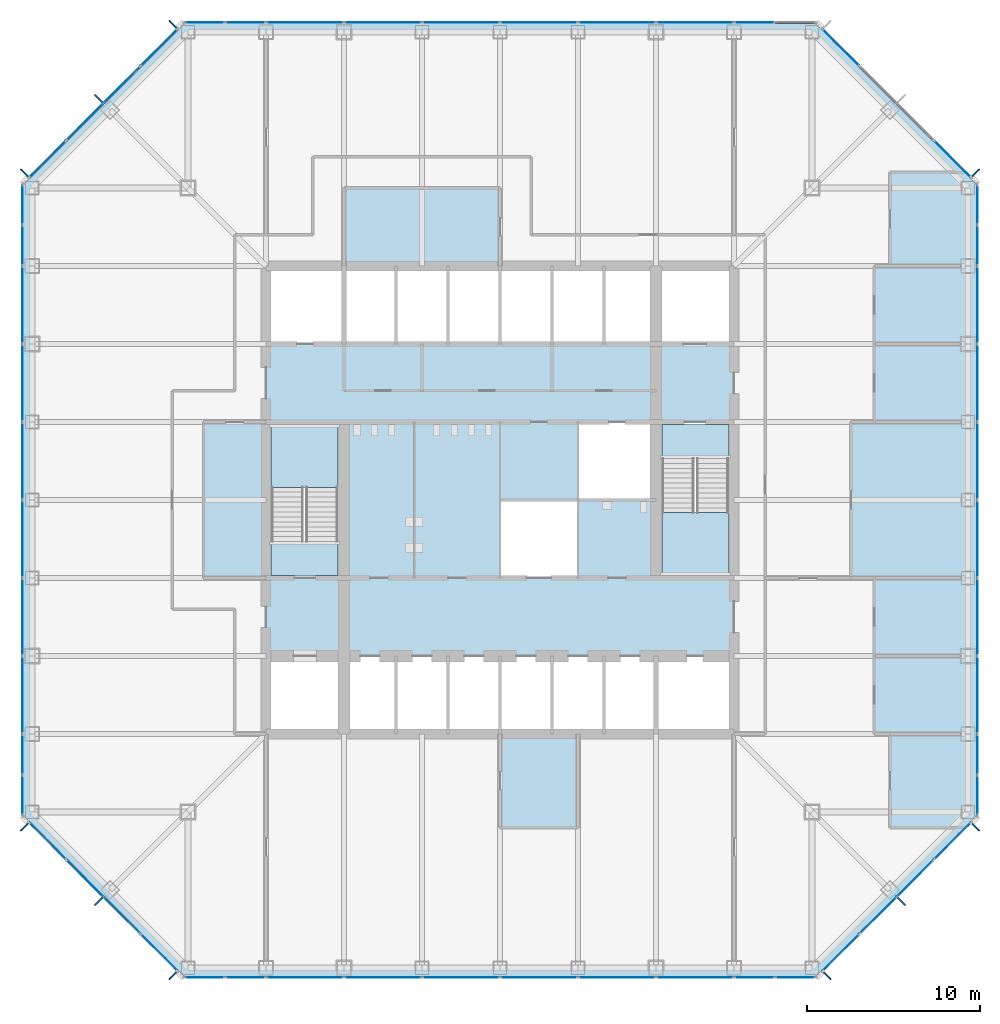
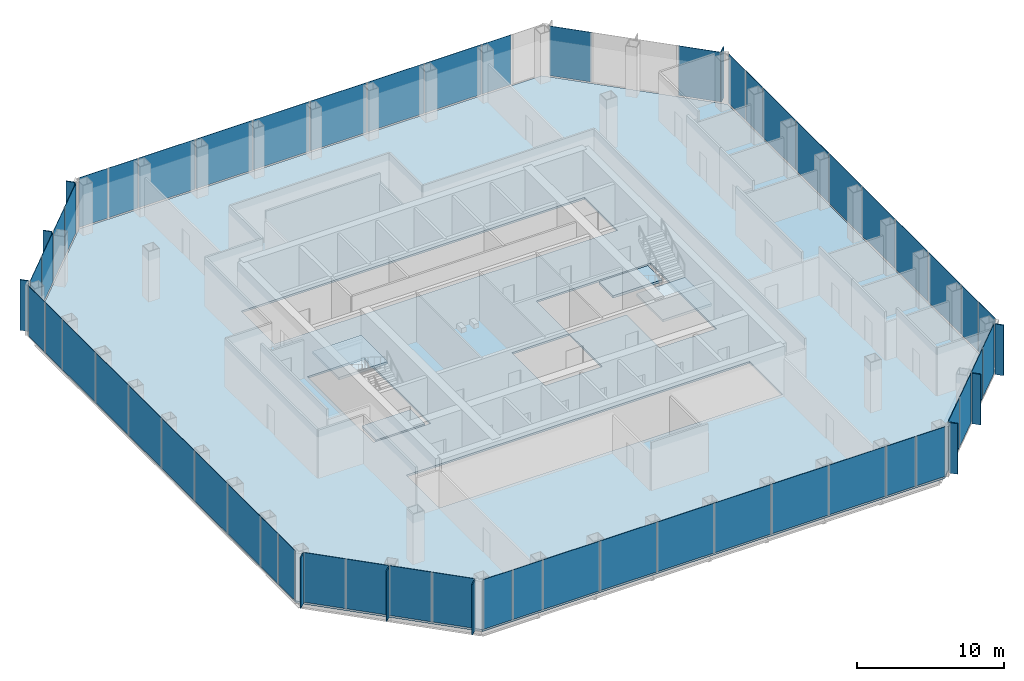
# One storey, part 7 of 12: 63 plates, 5 slabs, 10 elements without a shape of their own.
"""IFC4 building model written with IfcOpenShell, lengths in metres."""

from ifc_helpers import new_model, si_unit, direction, frame, origin, origin_2d, place, context, subcontext, project, spatial, polyline, rectangle, outline, extrude, material, layer, layer_set, type_object, element, aggregate, save


model = new_model("IFC4")

# Units and contexts
model_context = context("Model", 3, precision=1e-05, world=origin(), true_north=direction((0.0, 1.0)))
body_context = subcontext(model_context, "Body", "Model", "MODEL_VIEW")
ifc_project = project(units=[si_unit("LENGTHUNIT", "METRE"), si_unit("AREAUNIT", "SQUARE_METRE"), si_unit("VOLUMEUNIT", "CUBIC_METRE"), si_unit("PLANEANGLEUNIT", "RADIAN"), si_unit("MASSUNIT", "GRAM", prefix="KILO")], contexts=[model_context])

# Site, building, storey
site_placement = place(None, origin())
site = spatial("IfcSite", under=ifc_project, at=site_placement, CompositionType="ELEMENT")
building_placement = place(site_placement, origin())
building = spatial("IfcBuilding", under=site, at=building_placement, Name="Corais Broadcast Tower", CompositionType="ELEMENT")
storey_placement = place(building_placement, frame((0.0, 0.0, 71.0)))
storey = spatial("IfcBuildingStorey", under=building, at=storey_placement, Name="L15", CompositionType="ELEMENT", Elevation=71.0)

# Slab
ifc_material_1 = material(Name="Concrete C30/37", Category="concrete")
ifc_layer_1 = layer(ifc_material_1, 0.159912109375)
ifc_layer_set_1 = layer_set([ifc_layer_1], Name="Concrete C30/37")
slab_type_1 = type_object("IfcSlabType", Name="Composite floor slab 160", PredefinedType="FLOOR", material=ifc_layer_set_1)
slab_1_placement = place(storey_placement, frame((0.0, 0.0, -0.159912109375)))
element("IfcSlab", 1, at=slab_1_placement, inside=storey, type_object=slab_type_1, Name="S160 floor slab L15", PredefinedType="FLOOR", context=body_context, shape_type="SweptSolid", body=[
    extrude(outline(polyline([(8.80126953125, -0.47998046875), (-0.47998046875, 8.80126953125), (-0.47998046875, 45.19873046875), (8.80126953125, 54.47998046875), (45.19873046875, 54.47998046875), (54.47998046875, 45.19873046875), (54.47998046875, 8.80126953125), (45.19873046875, -0.47998046875), (8.80126953125, -0.47998046875)]), holes=[polyline([(13.5, 18.0), (40.5, 18.0), (40.5, 13.5), (13.5, 13.5), (13.5, 18.0)]), polyline([(13.5, 22.5), (13.5, 31.5), (18.0, 31.5), (18.0, 22.5), (13.5, 22.5)]), polyline([(13.5, 40.5), (40.5, 40.5), (40.5, 36.0), (13.5, 36.0), (13.5, 40.5)]), polyline([(27.0, 22.5), (27.0, 27.0), (31.4951171875, 27.0), (31.4951171875, 27.0048828125), (31.5, 27.0048828125), (31.5, 31.5), (40.5, 31.5), (40.5, 22.5), (36.0, 22.5), (36.0, 27.0), (31.5048828125, 27.0), (31.5048828125, 26.9951171875), (31.5, 26.9951171875), (31.5, 22.5), (27.0, 22.5)])]), origin(), (0.0, 0.0, 1.0), 0.159912109375),
])

# Curtain wall, plates
ifc_material_2 = material(Name="Aluminium and glass", Category="aluminium")
curtain_wall_type = type_object("IfcCurtainWallType", Name="Unitised fritted curtain wall CW1", PredefinedType="NOTDEFINED", material=ifc_material_2)
curtain_wall_1_placement = place(storey_placement, origin())
curtain_wall_1 = element("IfcCurtainWall", 2, at=curtain_wall_1_placement, inside=storey, type_object=curtain_wall_type, Name="CW1 curtain wall L15 1", PredefinedType="NOTDEFINED")
ifc_material_3 = material(Name="Ceramic-fritted laminated glass", Category="glass")
ifc_layer_2 = layer(ifc_material_3, 0.030029296875)
ifc_layer_set_2 = layer_set([ifc_layer_2], Name="Ceramic-fritted laminated glass")
plate_type_1 = type_object("IfcPlateType", Name="Fritted glass panel CW1", PredefinedType="CURTAIN_PANEL", material=ifc_layer_set_2)
plate_1_placement = place(storey_placement, frame((7.330322265625, 0.891845703125, 0.06494140625), z_axis=(0.0, 0.0, 1.0), x_axis=(-0.707106781187, 0.707106781187, 0.0)))
plate_1 = element("IfcPlate", 3, at=plate_1_placement, type_object=plate_type_1, Name="CW1 panel 1", PredefinedType="CURTAIN_PANEL", context=body_context, shape_type="SweptSolid", body=[
    extrude(rectangle(XDim=2.9482421875, YDim=0.030029296875, at=origin_2d()), origin(), (0.0, 0.0, 1.0), 4.135009765625),
])
plate_2_placement = place(storey_placement, frame((3.0341796875, 5.18798828125, 0.06494140625), z_axis=(0.0, 0.0, 1.0), x_axis=(-0.707106781187, 0.707106781187, 0.0)))
plate_2 = element("IfcPlate", 4, at=plate_2_placement, type_object=plate_type_1, Name="CW1 panel 3", PredefinedType="CURTAIN_PANEL", context=body_context, shape_type="SweptSolid", body=[
    extrude(rectangle(XDim=2.98095703125, YDim=0.030029296875, at=origin_2d()), origin(), (0.0, 0.0, 1.0), 4.135009765625),
])

curtain_wall_2_placement = place(storey_placement, origin())
curtain_wall_2 = element("IfcCurtainWall", 5, at=curtain_wall_2_placement, inside=storey, type_object=curtain_wall_type, Name="CW1 curtain wall L15 2", PredefinedType="NOTDEFINED")
plate_3_placement = place(storey_placement, frame((-0.550048828125, 9.970458984375, 0.06494140625), z_axis=(0.0, 0.0, 1.0), x_axis=(0.0, 1.0, 0.0)))
plate_3 = element("IfcPlate", 6, at=plate_3_placement, type_object=plate_type_1, Name="CW1 panel 1", PredefinedType="CURTAIN_PANEL", context=body_context, shape_type="SweptSolid", body=[
    extrude(rectangle(XDim=2.266357421875, YDim=0.030029296875, at=origin_2d()), origin(), (0.0, 0.0, 1.0), 4.135009765625),
])
plate_4_placement = place(storey_placement, frame((-0.550048828125, 15.75, 0.06494140625), z_axis=(0.0, 0.0, 1.0), x_axis=(0.0, 1.0, 0.0)))
plate_4 = element("IfcPlate", 7, at=plate_4_placement, type_object=plate_type_1, Name="CW1 panel 3", PredefinedType="CURTAIN_PANEL", context=body_context, shape_type="SweptSolid", body=[
    extrude(rectangle(XDim=4.43505859375, YDim=0.030029296875, at=origin_2d()), origin(), (0.0, 0.0, 1.0), 4.135009765625),
])
plate_5_placement = place(storey_placement, frame((-0.550048828125, 24.75, 0.06494140625), z_axis=(0.0, 0.0, 1.0), x_axis=(0.0, 1.0, 0.0)))
plate_5 = element("IfcPlate", 8, at=plate_5_placement, type_object=plate_type_1, Name="CW1 panel 5", PredefinedType="CURTAIN_PANEL", context=body_context, shape_type="SweptSolid", body=[
    extrude(rectangle(XDim=4.43505859375, YDim=0.030029296875, at=origin_2d()), origin(), (0.0, 0.0, 1.0), 4.135009765625),
])
plate_6_placement = place(storey_placement, frame((-0.550048828125, 33.75, 0.06494140625), z_axis=(0.0, 0.0, 1.0), x_axis=(0.0, 1.0, 0.0)))
plate_6 = element("IfcPlate", 9, at=plate_6_placement, type_object=plate_type_1, Name="CW1 panel 7", PredefinedType="CURTAIN_PANEL", context=body_context, shape_type="SweptSolid", body=[
    extrude(rectangle(XDim=4.43505859375, YDim=0.030029296875, at=origin_2d()), origin(), (0.0, 0.0, 1.0), 4.135009765625),
])
plate_7_placement = place(storey_placement, frame((-0.550048828125, 41.681884765625, 0.06494140625), z_axis=(0.0, 0.0, 1.0), x_axis=(0.0, 1.0, 0.0)))
plate_7 = element("IfcPlate", 10, at=plate_7_placement, type_object=plate_type_1, Name="CW1 panel 9", PredefinedType="CURTAIN_PANEL", context=body_context, shape_type="SweptSolid", body=[
    extrude(rectangle(XDim=2.298828125, YDim=0.030029296875, at=origin_2d()), origin(), (0.0, 0.0, 1.0), 4.135009765625),
])

curtain_wall_3_placement = place(storey_placement, origin())
curtain_wall_3 = element("IfcCurtainWall", 11, at=curtain_wall_3_placement, inside=storey, type_object=curtain_wall_type, Name="CW1 curtain wall L15 3", PredefinedType="NOTDEFINED")
plate_8_placement = place(storey_placement, frame((0.891845703125, 46.669677734375, 0.06494140625), z_axis=(0.0, 0.0, 1.0), x_axis=(0.707106781187, 0.707106781187, 0.0)))
plate_8 = element("IfcPlate", 12, at=plate_8_placement, type_object=plate_type_1, Name="CW1 panel 1", PredefinedType="CURTAIN_PANEL", context=body_context, shape_type="SweptSolid", body=[
    extrude(rectangle(XDim=2.9482421875, YDim=0.030029296875, at=origin_2d()), origin(), (0.0, 0.0, 1.0), 4.135009765625),
])
plate_9_placement = place(storey_placement, frame((5.18798828125, 50.9658203125, 0.06494140625), z_axis=(0.0, 0.0, 1.0), x_axis=(0.707106781187, 0.707106781187, 0.0)))
plate_9 = element("IfcPlate", 13, at=plate_9_placement, type_object=plate_type_1, Name="CW1 panel 3", PredefinedType="CURTAIN_PANEL", context=body_context, shape_type="SweptSolid", body=[
    extrude(rectangle(XDim=2.98095703125, YDim=0.030029296875, at=origin_2d()), origin(), (0.0, 0.0, 1.0), 4.135009765625),
])

curtain_wall_4_placement = place(storey_placement, origin())
curtain_wall_4 = element("IfcCurtainWall", 14, at=curtain_wall_4_placement, inside=storey, type_object=curtain_wall_type, Name="CW1 curtain wall L15 4", PredefinedType="NOTDEFINED")
plate_10_placement = place(storey_placement, frame((9.970458984375, 54.550048828125, 0.06494140625), z_axis=(0.0, 0.0, 1.0), x_axis=(1.0, 0.0, 0.0)))
plate_10 = element("IfcPlate", 15, at=plate_10_placement, type_object=plate_type_1, Name="CW1 panel 1", PredefinedType="CURTAIN_PANEL", context=body_context, shape_type="SweptSolid", body=[
    extrude(rectangle(XDim=2.266357421875, YDim=0.030029296875, at=origin_2d()), origin(), (0.0, 0.0, 1.0), 4.135009765625),
])
plate_11_placement = place(storey_placement, frame((15.75, 54.550048828125, 0.06494140625), z_axis=(0.0, 0.0, 1.0), x_axis=(1.0, 0.0, 0.0)))
plate_11 = element("IfcPlate", 16, at=plate_11_placement, type_object=plate_type_1, Name="CW1 panel 3", PredefinedType="CURTAIN_PANEL", context=body_context, shape_type="SweptSolid", body=[
    extrude(rectangle(XDim=4.43505859375, YDim=0.030029296875, at=origin_2d()), origin(), (0.0, 0.0, 1.0), 4.135009765625),
])
plate_12_placement = place(storey_placement, frame((24.75, 54.550048828125, 0.06494140625), z_axis=(0.0, 0.0, 1.0), x_axis=(1.0, 0.0, 0.0)))
plate_12 = element("IfcPlate", 17, at=plate_12_placement, type_object=plate_type_1, Name="CW1 panel 5", PredefinedType="CURTAIN_PANEL", context=body_context, shape_type="SweptSolid", body=[
    extrude(rectangle(XDim=4.43505859375, YDim=0.030029296875, at=origin_2d()), origin(), (0.0, 0.0, 1.0), 4.135009765625),
])
plate_13_placement = place(storey_placement, frame((33.75, 54.550048828125, 0.06494140625), z_axis=(0.0, 0.0, 1.0), x_axis=(1.0, 0.0, 0.0)))
plate_13 = element("IfcPlate", 18, at=plate_13_placement, type_object=plate_type_1, Name="CW1 panel 7", PredefinedType="CURTAIN_PANEL", context=body_context, shape_type="SweptSolid", body=[
    extrude(rectangle(XDim=4.43505859375, YDim=0.030029296875, at=origin_2d()), origin(), (0.0, 0.0, 1.0), 4.135009765625),
])
plate_14_placement = place(storey_placement, frame((41.681884765625, 54.550048828125, 0.06494140625), z_axis=(0.0, 0.0, 1.0), x_axis=(1.0, 0.0, 0.0)))
plate_14 = element("IfcPlate", 19, at=plate_14_placement, type_object=plate_type_1, Name="CW1 panel 9", PredefinedType="CURTAIN_PANEL", context=body_context, shape_type="SweptSolid", body=[
    extrude(rectangle(XDim=2.298828125, YDim=0.030029296875, at=origin_2d()), origin(), (0.0, 0.0, 1.0), 4.135009765625),
])

# Curtain wall, plate
curtain_wall_5_placement = place(storey_placement, origin())
curtain_wall_5 = element("IfcCurtainWall", 20, at=curtain_wall_5_placement, inside=storey, type_object=curtain_wall_type, Name="CW1 curtain wall L15 5", PredefinedType="NOTDEFINED")
plate_15_placement = place(storey_placement, frame((46.669677734375, 53.108154296875, 0.06494140625), z_axis=(0.0, 0.0, 1.0), x_axis=(0.707106781187, -0.707106781187, 0.0)))
plate_15 = element("IfcPlate", 21, at=plate_15_placement, type_object=plate_type_1, Name="CW1 panel 1", PredefinedType="CURTAIN_PANEL", context=body_context, shape_type="SweptSolid", body=[
    extrude(rectangle(XDim=2.9482421875, YDim=0.030029296875, at=origin_2d()), origin(), (0.0, 0.0, 1.0), 4.135009765625),
])

# Curtain wall, plates
curtain_wall_6_placement = place(storey_placement, origin())
curtain_wall_6 = element("IfcCurtainWall", 22, at=curtain_wall_6_placement, inside=storey, type_object=curtain_wall_type, Name="CW1 curtain wall L15 6", PredefinedType="NOTDEFINED")
plate_16_placement = place(storey_placement, frame((54.550048828125, 44.029541015625, 0.06494140625), z_axis=(0.0, 0.0, 1.0), x_axis=(0.0, -1.0, 0.0)))
plate_16 = element("IfcPlate", 23, at=plate_16_placement, type_object=plate_type_1, Name="CW1 panel 1", PredefinedType="CURTAIN_PANEL", context=body_context, shape_type="SweptSolid", body=[
    extrude(rectangle(XDim=2.266357421875, YDim=0.030029296875, at=origin_2d()), origin(), (0.0, 0.0, 1.0), 4.135009765625),
])
plate_17_placement = place(storey_placement, frame((54.550048828125, 38.25, 0.06494140625), z_axis=(0.0, 0.0, 1.0), x_axis=(0.0, -1.0, 0.0)))
plate_17 = element("IfcPlate", 24, at=plate_17_placement, type_object=plate_type_1, Name="CW1 panel 3", PredefinedType="CURTAIN_PANEL", context=body_context, shape_type="SweptSolid", body=[
    extrude(rectangle(XDim=4.43505859375, YDim=0.030029296875, at=origin_2d()), origin(), (0.0, 0.0, 1.0), 4.135009765625),
])
plate_18_placement = place(storey_placement, frame((54.550048828125, 29.25, 0.06494140625), z_axis=(0.0, 0.0, 1.0), x_axis=(0.0, -1.0, 0.0)))
plate_18 = element("IfcPlate", 25, at=plate_18_placement, type_object=plate_type_1, Name="CW1 panel 5", PredefinedType="CURTAIN_PANEL", context=body_context, shape_type="SweptSolid", body=[
    extrude(rectangle(XDim=4.43505859375, YDim=0.030029296875, at=origin_2d()), origin(), (0.0, 0.0, 1.0), 4.135009765625),
])
plate_19_placement = place(storey_placement, frame((54.550048828125, 20.25, 0.06494140625), z_axis=(0.0, 0.0, 1.0), x_axis=(0.0, -1.0, 0.0)))
plate_19 = element("IfcPlate", 26, at=plate_19_placement, type_object=plate_type_1, Name="CW1 panel 7", PredefinedType="CURTAIN_PANEL", context=body_context, shape_type="SweptSolid", body=[
    extrude(rectangle(XDim=4.43505859375, YDim=0.030029296875, at=origin_2d()), origin(), (0.0, 0.0, 1.0), 4.135009765625),
])
plate_20_placement = place(storey_placement, frame((54.550048828125, 12.318115234375, 0.06494140625), z_axis=(0.0, 0.0, 1.0), x_axis=(0.0, -1.0, 0.0)))
plate_20 = element("IfcPlate", 27, at=plate_20_placement, type_object=plate_type_1, Name="CW1 panel 9", PredefinedType="CURTAIN_PANEL", context=body_context, shape_type="SweptSolid", body=[
    extrude(rectangle(XDim=2.298828125, YDim=0.030029296875, at=origin_2d()), origin(), (0.0, 0.0, 1.0), 4.135009765625),
])

curtain_wall_7_placement = place(storey_placement, origin())
curtain_wall_7 = element("IfcCurtainWall", 28, at=curtain_wall_7_placement, inside=storey, type_object=curtain_wall_type, Name="CW1 curtain wall L15 7", PredefinedType="NOTDEFINED")
plate_21_placement = place(storey_placement, frame((53.108154296875, 7.330322265625, 0.06494140625), z_axis=(0.0, 0.0, 1.0), x_axis=(-0.707106781187, -0.707106781187, 0.0)))
plate_21 = element("IfcPlate", 29, at=plate_21_placement, type_object=plate_type_1, Name="CW1 panel 1", PredefinedType="CURTAIN_PANEL", context=body_context, shape_type="SweptSolid", body=[
    extrude(rectangle(XDim=2.9482421875, YDim=0.030029296875, at=origin_2d()), origin(), (0.0, 0.0, 1.0), 4.135009765625),
])
plate_22_placement = place(storey_placement, frame((48.81201171875, 3.0341796875, 0.06494140625), z_axis=(0.0, 0.0, 1.0), x_axis=(-0.707106781187, -0.707106781187, 0.0)))
plate_22 = element("IfcPlate", 30, at=plate_22_placement, type_object=plate_type_1, Name="CW1 panel 3", PredefinedType="CURTAIN_PANEL", context=body_context, shape_type="SweptSolid", body=[
    extrude(rectangle(XDim=2.98095703125, YDim=0.030029296875, at=origin_2d()), origin(), (0.0, 0.0, 1.0), 4.135009765625),
])

curtain_wall_8_placement = place(storey_placement, origin())
curtain_wall_8 = element("IfcCurtainWall", 31, at=curtain_wall_8_placement, inside=storey, type_object=curtain_wall_type, Name="CW1 curtain wall L15 8", PredefinedType="NOTDEFINED")
plate_23_placement = place(storey_placement, frame((44.029541015625, -0.550048828125, 0.06494140625), z_axis=(0.0, 0.0, 1.0), x_axis=(-1.0, 0.0, 0.0)))
plate_23 = element("IfcPlate", 32, at=plate_23_placement, type_object=plate_type_1, Name="CW1 panel 1", PredefinedType="CURTAIN_PANEL", context=body_context, shape_type="SweptSolid", body=[
    extrude(rectangle(XDim=2.266357421875, YDim=0.030029296875, at=origin_2d()), origin(), (0.0, 0.0, 1.0), 4.135009765625),
])
plate_24_placement = place(storey_placement, frame((38.25, -0.550048828125, 0.06494140625), z_axis=(0.0, 0.0, 1.0), x_axis=(-1.0, 0.0, 0.0)))
plate_24 = element("IfcPlate", 33, at=plate_24_placement, type_object=plate_type_1, Name="CW1 panel 3", PredefinedType="CURTAIN_PANEL", context=body_context, shape_type="SweptSolid", body=[
    extrude(rectangle(XDim=4.43505859375, YDim=0.030029296875, at=origin_2d()), origin(), (0.0, 0.0, 1.0), 4.135009765625),
])
plate_25_placement = place(storey_placement, frame((29.25, -0.550048828125, 0.06494140625), z_axis=(0.0, 0.0, 1.0), x_axis=(-1.0, 0.0, 0.0)))
plate_25 = element("IfcPlate", 34, at=plate_25_placement, type_object=plate_type_1, Name="CW1 panel 5", PredefinedType="CURTAIN_PANEL", context=body_context, shape_type="SweptSolid", body=[
    extrude(rectangle(XDim=4.43505859375, YDim=0.030029296875, at=origin_2d()), origin(), (0.0, 0.0, 1.0), 4.135009765625),
])
plate_26_placement = place(storey_placement, frame((20.25, -0.550048828125, 0.06494140625), z_axis=(0.0, 0.0, 1.0), x_axis=(-1.0, 0.0, 0.0)))
plate_26 = element("IfcPlate", 35, at=plate_26_placement, type_object=plate_type_1, Name="CW1 panel 7", PredefinedType="CURTAIN_PANEL", context=body_context, shape_type="SweptSolid", body=[
    extrude(rectangle(XDim=4.43505859375, YDim=0.030029296875, at=origin_2d()), origin(), (0.0, 0.0, 1.0), 4.135009765625),
])
plate_27_placement = place(storey_placement, frame((12.318115234375, -0.550048828125, 0.06494140625), z_axis=(0.0, 0.0, 1.0), x_axis=(-1.0, 0.0, 0.0)))
plate_27 = element("IfcPlate", 36, at=plate_27_placement, type_object=plate_type_1, Name="CW1 panel 9", PredefinedType="CURTAIN_PANEL", context=body_context, shape_type="SweptSolid", body=[
    extrude(rectangle(XDim=2.298828125, YDim=0.030029296875, at=origin_2d()), origin(), (0.0, 0.0, 1.0), 4.135009765625),
])

# Plate
ifc_material_4 = material(Name="Clear laminated glass", Category="glass")
ifc_layer_3 = layer(ifc_material_4, 0.033935546875)
ifc_layer_set_3 = layer_set([ifc_layer_3], Name="Clear laminated glass")
plate_type_2 = type_object("IfcPlateType", Name="Operable glass panel CW1", PredefinedType="CURTAIN_PANEL", material=ifc_layer_set_3)
plate_28_placement = place(storey_placement, frame((5.18798828125, 3.0341796875, 0.06494140625), z_axis=(0.0, 0.0, 1.0), x_axis=(-0.707106781187, 0.707106781187, 0.0)))
plate_28 = element("IfcPlate", 37, at=plate_28_placement, type_object=plate_type_2, Name="CW1 operable panel 2", PredefinedType="CURTAIN_PANEL", context=body_context, shape_type="SweptSolid", body=[
    extrude(rectangle(XDim=2.98095703125, YDim=0.033935546875, at=origin_2d()), origin(), (0.0, 0.0, 1.0), 4.135009765625),
])

plate_29_placement = place(storey_placement, frame((0.89208984375, 7.330322265625, 0.06494140625), z_axis=(0.0, 0.0, 1.0), x_axis=(-0.707106781187, 0.707106781187, 0.0)))
plate_29 = element("IfcPlate", 38, at=plate_29_placement, type_object=plate_type_2, Name="CW1 operable panel 4", PredefinedType="CURTAIN_PANEL", context=body_context, shape_type="SweptSolid", body=[
    extrude(rectangle(XDim=2.948486328125, YDim=0.033935546875, at=origin_2d()), origin(), (0.0, 0.0, 1.0), 4.135009765625),
])

aggregate(curtain_wall_1, [plate_1, plate_28, plate_2, plate_29])

plate_30_placement = place(storey_placement, frame((-0.550048828125, 12.318115234375, 0.06494140625), z_axis=(0.0, 0.0, 1.0), x_axis=(0.0, 1.0, 0.0)))
plate_30 = element("IfcPlate", 39, at=plate_30_placement, type_object=plate_type_2, Name="CW1 operable panel 2", PredefinedType="CURTAIN_PANEL", context=body_context, shape_type="SweptSolid", body=[
    extrude(rectangle(XDim=2.298828125, YDim=0.033935546875, at=origin_2d()), origin(), (0.0, 0.0, 1.0), 4.135009765625),
])

plate_31_placement = place(storey_placement, frame((-0.550048828125, 20.25, 0.06494140625), z_axis=(0.0, 0.0, 1.0), x_axis=(0.0, 1.0, 0.0)))
plate_31 = element("IfcPlate", 40, at=plate_31_placement, type_object=plate_type_2, Name="CW1 operable panel 4", PredefinedType="CURTAIN_PANEL", context=body_context, shape_type="SweptSolid", body=[
    extrude(rectangle(XDim=4.43505859375, YDim=0.033935546875, at=origin_2d()), origin(), (0.0, 0.0, 1.0), 4.135009765625),
])

plate_32_placement = place(storey_placement, frame((-0.550048828125, 29.25, 0.06494140625), z_axis=(0.0, 0.0, 1.0), x_axis=(0.0, 1.0, 0.0)))
plate_32 = element("IfcPlate", 41, at=plate_32_placement, type_object=plate_type_2, Name="CW1 operable panel 6", PredefinedType="CURTAIN_PANEL", context=body_context, shape_type="SweptSolid", body=[
    extrude(rectangle(XDim=4.43505859375, YDim=0.033935546875, at=origin_2d()), origin(), (0.0, 0.0, 1.0), 4.135009765625),
])

plate_33_placement = place(storey_placement, frame((-0.550048828125, 38.25, 0.06494140625), z_axis=(0.0, 0.0, 1.0), x_axis=(0.0, 1.0, 0.0)))
plate_33 = element("IfcPlate", 42, at=plate_33_placement, type_object=plate_type_2, Name="CW1 operable panel 8", PredefinedType="CURTAIN_PANEL", context=body_context, shape_type="SweptSolid", body=[
    extrude(rectangle(XDim=4.43505859375, YDim=0.033935546875, at=origin_2d()), origin(), (0.0, 0.0, 1.0), 4.135009765625),
])

plate_34_placement = place(storey_placement, frame((-0.550048828125, 44.029541015625, 0.06494140625), z_axis=(0.0, 0.0, 1.0), x_axis=(0.0, 1.0, 0.0)))
plate_34 = element("IfcPlate", 43, at=plate_34_placement, type_object=plate_type_2, Name="CW1 operable panel 10", PredefinedType="CURTAIN_PANEL", context=body_context, shape_type="SweptSolid", body=[
    extrude(rectangle(XDim=2.266357421875, YDim=0.033935546875, at=origin_2d()), origin(), (0.0, 0.0, 1.0), 4.135009765625),
])

aggregate(curtain_wall_2, [plate_3, plate_30, plate_4, plate_31, plate_5, plate_32, plate_6, plate_33, plate_7, plate_34])

plate_35_placement = place(storey_placement, frame((3.0341796875, 48.81201171875, 0.06494140625), z_axis=(0.0, 0.0, 1.0), x_axis=(0.707106781187, 0.707106781187, 0.0)))
plate_35 = element("IfcPlate", 44, at=plate_35_placement, type_object=plate_type_2, Name="CW1 operable panel 2", PredefinedType="CURTAIN_PANEL", context=body_context, shape_type="SweptSolid", body=[
    extrude(rectangle(XDim=2.98095703125, YDim=0.033935546875, at=origin_2d()), origin(), (0.0, 0.0, 1.0), 4.135009765625),
])

plate_36_placement = place(storey_placement, frame((7.330322265625, 53.10791015625, 0.06494140625), z_axis=(0.0, 0.0, 1.0), x_axis=(0.707106781187, 0.707106781187, 0.0)))
plate_36 = element("IfcPlate", 45, at=plate_36_placement, type_object=plate_type_2, Name="CW1 operable panel 4", PredefinedType="CURTAIN_PANEL", context=body_context, shape_type="SweptSolid", body=[
    extrude(rectangle(XDim=2.948486328125, YDim=0.033935546875, at=origin_2d()), origin(), (0.0, 0.0, 1.0), 4.135009765625),
])

aggregate(curtain_wall_3, [plate_8, plate_35, plate_9, plate_36])

plate_37_placement = place(storey_placement, frame((12.318115234375, 54.550048828125, 0.06494140625), z_axis=(0.0, 0.0, 1.0), x_axis=(1.0, 0.0, 0.0)))
plate_37 = element("IfcPlate", 46, at=plate_37_placement, type_object=plate_type_2, Name="CW1 operable panel 2", PredefinedType="CURTAIN_PANEL", context=body_context, shape_type="SweptSolid", body=[
    extrude(rectangle(XDim=2.298828125, YDim=0.033935546875, at=origin_2d()), origin(), (0.0, 0.0, 1.0), 4.135009765625),
])

plate_38_placement = place(storey_placement, frame((20.25, 54.550048828125, 0.06494140625), z_axis=(0.0, 0.0, 1.0), x_axis=(1.0, 0.0, 0.0)))
plate_38 = element("IfcPlate", 47, at=plate_38_placement, type_object=plate_type_2, Name="CW1 operable panel 4", PredefinedType="CURTAIN_PANEL", context=body_context, shape_type="SweptSolid", body=[
    extrude(rectangle(XDim=4.43505859375, YDim=0.033935546875, at=origin_2d()), origin(), (0.0, 0.0, 1.0), 4.135009765625),
])

plate_39_placement = place(storey_placement, frame((29.25, 54.550048828125, 0.06494140625), z_axis=(0.0, 0.0, 1.0), x_axis=(1.0, 0.0, 0.0)))
plate_39 = element("IfcPlate", 48, at=plate_39_placement, type_object=plate_type_2, Name="CW1 operable panel 6", PredefinedType="CURTAIN_PANEL", context=body_context, shape_type="SweptSolid", body=[
    extrude(rectangle(XDim=4.43505859375, YDim=0.033935546875, at=origin_2d()), origin(), (0.0, 0.0, 1.0), 4.135009765625),
])

plate_40_placement = place(storey_placement, frame((38.25, 54.550048828125, 0.06494140625), z_axis=(0.0, 0.0, 1.0), x_axis=(1.0, 0.0, 0.0)))
plate_40 = element("IfcPlate", 49, at=plate_40_placement, type_object=plate_type_2, Name="CW1 operable panel 8", PredefinedType="CURTAIN_PANEL", context=body_context, shape_type="SweptSolid", body=[
    extrude(rectangle(XDim=4.43505859375, YDim=0.033935546875, at=origin_2d()), origin(), (0.0, 0.0, 1.0), 4.135009765625),
])

aggregate(curtain_wall_4, [plate_10, plate_37, plate_11, plate_38, plate_12, plate_39, plate_13, plate_40, plate_14])

plate_41_placement = place(storey_placement, frame((53.10791015625, 46.669677734375, 0.06494140625), z_axis=(0.0, 0.0, 1.0), x_axis=(0.707106781187, -0.707106781187, 0.0)))
plate_41 = element("IfcPlate", 50, at=plate_41_placement, type_object=plate_type_2, Name="CW1 operable panel 4", PredefinedType="CURTAIN_PANEL", context=body_context, shape_type="SweptSolid", body=[
    extrude(rectangle(XDim=2.948486328125, YDim=0.033935546875, at=origin_2d()), origin(), (0.0, 0.0, 1.0), 4.135009765625),
])

aggregate(curtain_wall_5, [plate_15, plate_41])

plate_42_placement = place(storey_placement, frame((54.550048828125, 41.681884765625, 0.06494140625), z_axis=(0.0, 0.0, 1.0), x_axis=(0.0, -1.0, 0.0)))
plate_42 = element("IfcPlate", 51, at=plate_42_placement, type_object=plate_type_2, Name="CW1 operable panel 2", PredefinedType="CURTAIN_PANEL", context=body_context, shape_type="SweptSolid", body=[
    extrude(rectangle(XDim=2.298828125, YDim=0.033935546875, at=origin_2d()), origin(), (0.0, 0.0, 1.0), 4.135009765625),
])

plate_43_placement = place(storey_placement, frame((54.550048828125, 33.75, 0.06494140625), z_axis=(0.0, 0.0, 1.0), x_axis=(0.0, -1.0, 0.0)))
plate_43 = element("IfcPlate", 52, at=plate_43_placement, type_object=plate_type_2, Name="CW1 operable panel 4", PredefinedType="CURTAIN_PANEL", context=body_context, shape_type="SweptSolid", body=[
    extrude(rectangle(XDim=4.43505859375, YDim=0.033935546875, at=origin_2d()), origin(), (0.0, 0.0, 1.0), 4.135009765625),
])

plate_44_placement = place(storey_placement, frame((54.550048828125, 24.75, 0.06494140625), z_axis=(0.0, 0.0, 1.0), x_axis=(0.0, -1.0, 0.0)))
plate_44 = element("IfcPlate", 53, at=plate_44_placement, type_object=plate_type_2, Name="CW1 operable panel 6", PredefinedType="CURTAIN_PANEL", context=body_context, shape_type="SweptSolid", body=[
    extrude(rectangle(XDim=4.43505859375, YDim=0.033935546875, at=origin_2d()), origin(), (0.0, 0.0, 1.0), 4.135009765625),
])

plate_45_placement = place(storey_placement, frame((54.550048828125, 15.75, 0.06494140625), z_axis=(0.0, 0.0, 1.0), x_axis=(0.0, -1.0, 0.0)))
plate_45 = element("IfcPlate", 54, at=plate_45_placement, type_object=plate_type_2, Name="CW1 operable panel 8", PredefinedType="CURTAIN_PANEL", context=body_context, shape_type="SweptSolid", body=[
    extrude(rectangle(XDim=4.43505859375, YDim=0.033935546875, at=origin_2d()), origin(), (0.0, 0.0, 1.0), 4.135009765625),
])

plate_46_placement = place(storey_placement, frame((54.550048828125, 9.970458984375, 0.06494140625), z_axis=(0.0, 0.0, 1.0), x_axis=(0.0, -1.0, 0.0)))
plate_46 = element("IfcPlate", 55, at=plate_46_placement, type_object=plate_type_2, Name="CW1 operable panel 10", PredefinedType="CURTAIN_PANEL", context=body_context, shape_type="SweptSolid", body=[
    extrude(rectangle(XDim=2.266357421875, YDim=0.033935546875, at=origin_2d()), origin(), (0.0, 0.0, 1.0), 4.135009765625),
])

aggregate(curtain_wall_6, [plate_16, plate_42, plate_17, plate_43, plate_18, plate_44, plate_19, plate_45, plate_20, plate_46])

plate_47_placement = place(storey_placement, frame((50.9658203125, 5.18798828125, 0.06494140625), z_axis=(0.0, 0.0, 1.0), x_axis=(-0.707106781187, -0.707106781187, 0.0)))
plate_47 = element("IfcPlate", 56, at=plate_47_placement, type_object=plate_type_2, Name="CW1 operable panel 2", PredefinedType="CURTAIN_PANEL", context=body_context, shape_type="SweptSolid", body=[
    extrude(rectangle(XDim=2.98095703125, YDim=0.033935546875, at=origin_2d()), origin(), (0.0, 0.0, 1.0), 4.135009765625),
])

plate_48_placement = place(storey_placement, frame((46.669677734375, 0.89208984375, 0.06494140625), z_axis=(0.0, 0.0, 1.0), x_axis=(-0.707106781187, -0.707106781187, 0.0)))
plate_48 = element("IfcPlate", 57, at=plate_48_placement, type_object=plate_type_2, Name="CW1 operable panel 4", PredefinedType="CURTAIN_PANEL", context=body_context, shape_type="SweptSolid", body=[
    extrude(rectangle(XDim=2.948486328125, YDim=0.033935546875, at=origin_2d()), origin(), (0.0, 0.0, 1.0), 4.135009765625),
])

aggregate(curtain_wall_7, [plate_21, plate_47, plate_22, plate_48])

plate_49_placement = place(storey_placement, frame((41.681884765625, -0.550048828125, 0.06494140625), z_axis=(0.0, 0.0, 1.0), x_axis=(-1.0, 0.0, 0.0)))
plate_49 = element("IfcPlate", 58, at=plate_49_placement, type_object=plate_type_2, Name="CW1 operable panel 2", PredefinedType="CURTAIN_PANEL", context=body_context, shape_type="SweptSolid", body=[
    extrude(rectangle(XDim=2.298828125, YDim=0.033935546875, at=origin_2d()), origin(), (0.0, 0.0, 1.0), 4.135009765625),
])

plate_50_placement = place(storey_placement, frame((33.75, -0.550048828125, 0.06494140625), z_axis=(0.0, 0.0, 1.0), x_axis=(-1.0, 0.0, 0.0)))
plate_50 = element("IfcPlate", 59, at=plate_50_placement, type_object=plate_type_2, Name="CW1 operable panel 4", PredefinedType="CURTAIN_PANEL", context=body_context, shape_type="SweptSolid", body=[
    extrude(rectangle(XDim=4.43505859375, YDim=0.033935546875, at=origin_2d()), origin(), (0.0, 0.0, 1.0), 4.135009765625),
])

plate_51_placement = place(storey_placement, frame((24.75, -0.550048828125, 0.06494140625), z_axis=(0.0, 0.0, 1.0), x_axis=(-1.0, 0.0, 0.0)))
plate_51 = element("IfcPlate", 60, at=plate_51_placement, type_object=plate_type_2, Name="CW1 operable panel 6", PredefinedType="CURTAIN_PANEL", context=body_context, shape_type="SweptSolid", body=[
    extrude(rectangle(XDim=4.43505859375, YDim=0.033935546875, at=origin_2d()), origin(), (0.0, 0.0, 1.0), 4.135009765625),
])

plate_52_placement = place(storey_placement, frame((15.75, -0.550048828125, 0.06494140625), z_axis=(0.0, 0.0, 1.0), x_axis=(-1.0, 0.0, 0.0)))
plate_52 = element("IfcPlate", 61, at=plate_52_placement, type_object=plate_type_2, Name="CW1 operable panel 8", PredefinedType="CURTAIN_PANEL", context=body_context, shape_type="SweptSolid", body=[
    extrude(rectangle(XDim=4.43505859375, YDim=0.033935546875, at=origin_2d()), origin(), (0.0, 0.0, 1.0), 4.135009765625),
])

plate_53_placement = place(storey_placement, frame((9.970458984375, -0.550048828125, 0.06494140625), z_axis=(0.0, 0.0, 1.0), x_axis=(-1.0, 0.0, 0.0)))
plate_53 = element("IfcPlate", 62, at=plate_53_placement, type_object=plate_type_2, Name="CW1 operable panel 10", PredefinedType="CURTAIN_PANEL", context=body_context, shape_type="SweptSolid", body=[
    extrude(rectangle(XDim=2.266357421875, YDim=0.033935546875, at=origin_2d()), origin(), (0.0, 0.0, 1.0), 4.135009765625),
])

aggregate(curtain_wall_8, [plate_23, plate_49, plate_24, plate_50, plate_25, plate_51, plate_26, plate_52, plate_27, plate_53])

# Stair, slabs
ifc_material_5 = material(Name="Concrete C30/37", Category="concrete")
stair_type = type_object("IfcStairType", Name="Half-turn stair 4200", PredefinedType="HALF_TURN_STAIR", material=ifc_material_5)
stair_1_placement = place(storey_placement, origin())
stair_1 = element("IfcStair", 63, at=stair_1_placement, inside=storey, type_object=stair_type, Name="Stair A L15", PredefinedType="HALF_TURN_STAIR")
ifc_material_6 = material(Name="Concrete C30/37", Category="concrete")
ifc_layer_4 = layer(ifc_material_6, 0.199951171875)
ifc_layer_set_4 = layer_set([ifc_layer_4], Name="Concrete C30/37")
slab_type_2 = type_object("IfcSlabType", Name="Stair landing 200", PredefinedType="LANDING", material=ifc_layer_set_4)
slab_2_placement = place(storey_placement, frame((0.0, 0.0, -0.199951171875)))
slab_2 = element("IfcSlab", 64, at=slab_2_placement, type_object=slab_type_2, Name="STA landing 1", PredefinedType="LANDING", context=body_context, shape_type="SweptSolid", body=[
    extrude(outline(polyline([(13.800048828125, 22.64990234375), (17.64990234375, 22.64990234375), (17.64990234375, 24.60009765625), (13.800048828125, 24.60009765625), (13.800048828125, 22.64990234375)])), origin(), (0.0, 0.0, 1.0), 0.199951171875),
])
slab_3_placement = place(storey_placement, frame((0.0, 0.0, 1.89990234375)))
slab_3 = element("IfcSlab", 65, at=slab_3_placement, type_object=slab_type_2, Name="STA landing 2", PredefinedType="LANDING", context=body_context, shape_type="SweptSolid", body=[
    extrude(outline(polyline([(13.800048828125, 27.735107421875), (17.64990234375, 27.735107421875), (17.64990234375, 31.35009765625), (13.800048828125, 31.35009765625), (13.800048828125, 27.735107421875)])), origin(), (0.0, 0.0, 1.0), 0.2001953125),
])
aggregate(stair_1, [slab_2, slab_3])

stair_2_placement = place(storey_placement, origin())
stair_2 = element("IfcStair", 66, at=stair_2_placement, inside=storey, type_object=stair_type, Name="Stair B L15", PredefinedType="HALF_TURN_STAIR")
slab_4_placement = place(storey_placement, frame((0.0, 0.0, -0.199951171875)))
slab_4 = element("IfcSlab", 67, at=slab_4_placement, type_object=slab_type_2, Name="STB landing 1", PredefinedType="LANDING", context=body_context, shape_type="SweptSolid", body=[
    extrude(outline(polyline([(36.35009765625, 29.39990234375), (40.199951171875, 29.39990234375), (40.199951171875, 31.35009765625), (36.35009765625, 31.35009765625), (36.35009765625, 29.39990234375)])), origin(), (0.0, 0.0, 1.0), 0.199951171875),
])
slab_5_placement = place(storey_placement, frame((0.0, 0.0, 1.89990234375)))
slab_5 = element("IfcSlab", 68, at=slab_5_placement, type_object=slab_type_2, Name="STB landing 2", PredefinedType="LANDING", context=body_context, shape_type="SweptSolid", body=[
    extrude(outline(polyline([(36.35009765625, 22.64990234375), (40.199951171875, 22.64990234375), (40.199951171875, 26.264892578125), (36.35009765625, 26.264892578125), (36.35009765625, 22.64990234375)])), origin(), (0.0, 0.0, 1.0), 0.2001953125),
])
aggregate(stair_2, [slab_4, slab_5])

# Plates
ifc_material_7 = material(Name="Granite stone cladding", Category="masonry")
ifc_layer_5 = layer(ifc_material_7, 0.080078125)
ifc_layer_set_5 = layer_set([ifc_layer_5], Name="Granite stone cladding")
plate_type_3 = type_object("IfcPlateType", Name="Stone screen fin 80x600", PredefinedType="USERDEFINED", material=ifc_layer_set_5)
for number, where, z_axis, x_axis, name in (
    (69, (8.114990234375, -0.4541015625, 0.0), (0.0, 0.0, 1.0), (-0.707106781187, 0.707106781187, 0.0), "SF1 stone screen fin L15"),
    (70, (3.830322265625, 3.830322265625, 0.0), (0.0, 0.0, 1.0), (-0.707106781187, 0.707106781187, 0.0), "SF1 stone screen fin L15"),
    (71, (-0.4541015625, 8.114990234375, 0.0), (0.0, 0.0, 1.0), (-0.707106781187, 0.707106781187, 0.0), "SF1 stone screen fin L15"),
    (72, (-0.4541015625, 45.885009765625, 0.0), (0.0, 0.0, 1.0), (0.707106781187, 0.707106781187, 0.0), "SF1 stone screen fin L15"),
    (73, (3.830322265625, 50.169677734375, 0.0), (0.0, 0.0, 1.0), (0.707106781187, 0.707106781187, 0.0), "SF1 stone screen fin L15"),
    (74, (8.114990234375, 54.4541015625, 0.0), (0.0, 0.0, 1.0), (0.707106781187, 0.707106781187, 0.0), "SF1 stone screen fin L15"),
    (75, (54.4541015625, 45.885009765625, 0.0), (0.0, 0.0, 1.0), (0.707106781187, -0.707106781187, 0.0), "SF1 stone screen fin L15"),
    (76, (54.4541015625, 8.114990234375, 0.0), (0.0, 0.0, 1.0), (-0.707106781187, -0.707106781187, 0.0), "SF1 stone screen fin L15"),
    (77, (50.169677734375, 3.830322265625, 0.0), (0.0, 0.0, 1.0), (-0.707106781187, -0.707106781187, 0.0), "SF1 stone screen fin L15"),
    (78, (45.885009765625, -0.4541015625, 0.0), (0.0, 0.0, 1.0), (-0.707106781187, -0.707106781187, 0.0), "SF1 stone screen fin L15"),
):
    element("IfcPlate", number, at=place(storey_placement, frame(where, z_axis=z_axis, x_axis=x_axis)), inside=storey, type_object=plate_type_3, Name=name, ObjectType="STONE SCREEN FIN", PredefinedType="USERDEFINED", context=body_context, shape_type="SweptSolid", body=[
        extrude(rectangle(XDim=0.080078125, YDim=0.60009765625, at=origin_2d()), origin(), (0.0, 0.0, 1.0), 4.199951171875),
    ])

save(model, "model.ifc")
